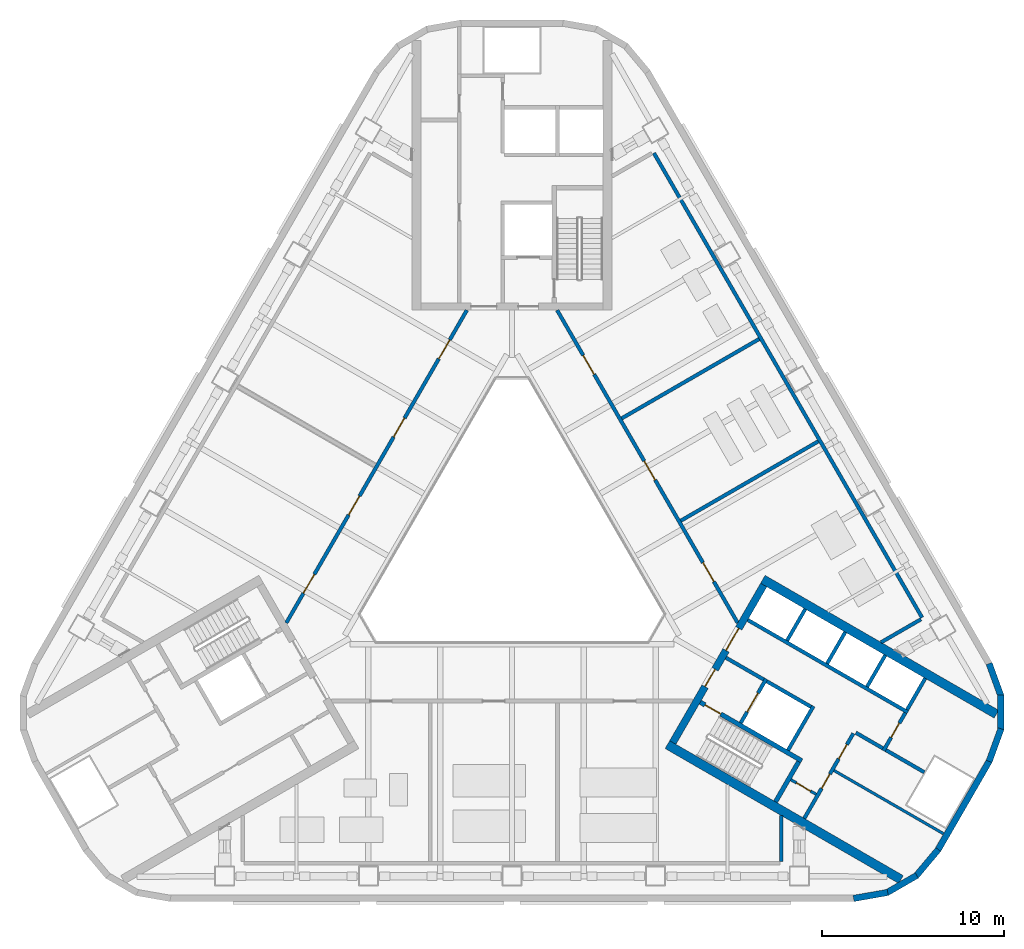
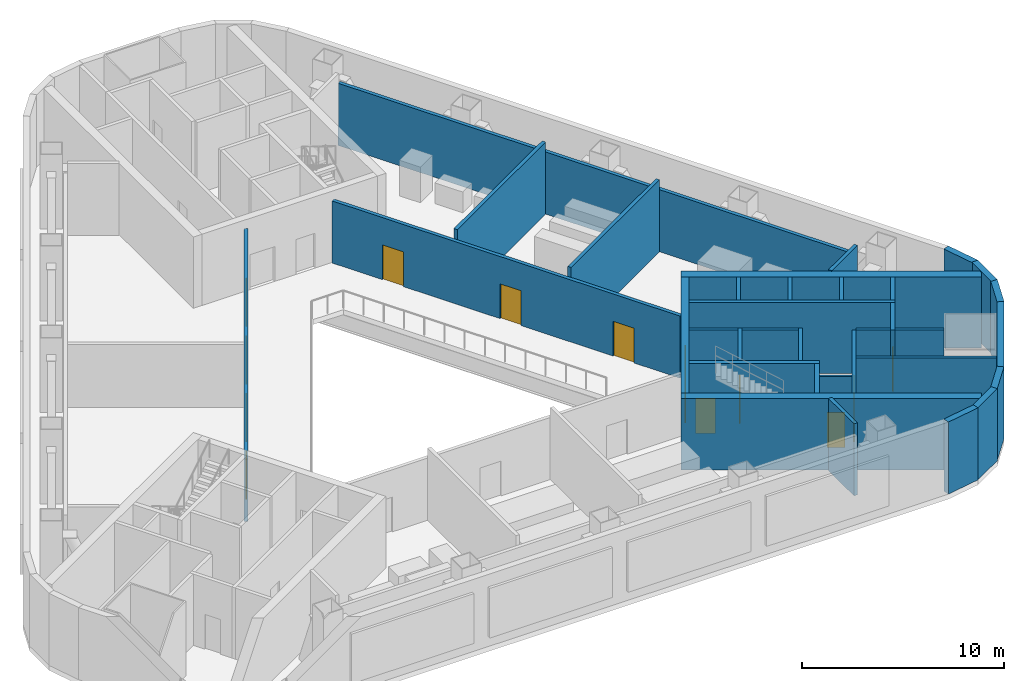
# One storey, part 7 of 14: 34 walls, 15 doors, 15 openings.
"""IFC4 building model written with IfcOpenShell, lengths in metres."""

import ifcopenshell
import ifcopenshell.guid

model = None  # the IFC model being written
_history = None  # IfcOwnerHistory: only IFC2X3 demands one
_inside = {}  # id of a spatial element -> (the spatial element, [elements in it])
_under = {}  # id of a project, library or spatial element -> (it, [spatial elements below it])
_declared = {}  # id of a project -> (the project, [libraries it declares])
_typed = {}  # id of a type object -> (the type object, [elements of that type])
_made_of = {}  # id of a material, layer set ... -> (it, [elements and type objects made of it])


def new_model(schema):
    """Start an empty IFC model of exactly this schema.

    Asked for "IFC4X3", IfcOpenShell would pick the latest addendum, in which some entities
    have other attributes; the version numbers below select the first issue.
    IFC2X3 requires an IfcOwnerHistory on every rooted entity: one is made here for all.
    """
    global model, _history
    if schema == "IFC4X3":
        model = ifcopenshell.file(schema_version=(4, 3, 0, 0))
    else:
        model = ifcopenshell.file(schema=schema)
    _inside.clear()
    _under.clear()
    _declared.clear()
    _typed.clear()
    _made_of.clear()
    _history = None
    if model.schema == "IFC2X3":
        org = make("IfcOrganization", Name="unknown")
        user = make(
            "IfcPersonAndOrganization",
            ThePerson=make("IfcPerson", FamilyName="unknown"),
            TheOrganization=org,
        )
        app = make(
            "IfcApplication",
            ApplicationDeveloper=org,
            Version="unknown",
            ApplicationFullName="unknown",
            ApplicationIdentifier="unknown",
        )
        _history = make(
            "IfcOwnerHistory",
            OwningUser=user,
            OwningApplication=app,
            ChangeAction="ADDED",
            CreationDate=0,
        )
    return model


def make(cls, **values):
    """One entity of the class cls with the attributes given. An attribute that is None is left unset."""
    return model.create_entity(
        cls, **{name: value for name, value in values.items() if value is not None}
    )


def rooted(cls, **values):
    """An entity with a GlobalId (a new one), such as an element, a storey or a relation."""
    return make(cls, GlobalId=ifcopenshell.guid.new(), OwnerHistory=_history, **values)


def si_unit(unit_type, name, prefix=None):
    """IfcSIUnit, for example si_unit("LENGTHUNIT", "METRE", prefix="MILLI")."""
    return make("IfcSIUnit", UnitType=unit_type, Prefix=prefix, Name=name)


def assignment(units):
    """IfcUnitAssignment: the units of a project."""
    return None if units is None else make("IfcUnitAssignment", Units=units)


def point(xyz):
    """IfcCartesianPoint."""
    return None if xyz is None else make("IfcCartesianPoint", Coordinates=xyz)


def direction(xyz):
    """IfcDirection."""
    return None if xyz is None else make("IfcDirection", DirectionRatios=xyz)


def frame(location, z_axis=None, x_axis=None):
    """IfcAxis2Placement3D, a coordinate frame: its origin and axes. An axis left out is left unset."""
    return make(
        "IfcAxis2Placement3D",
        Location=point(location),
        Axis=direction(z_axis),
        RefDirection=direction(x_axis),
    )


def frame_2d(location, x_axis=None):
    """IfcAxis2Placement2D, a coordinate frame in the plane: its origin and x axis."""
    return make(
        "IfcAxis2Placement2D", Location=point(location), RefDirection=direction(x_axis)
    )


def origin():
    """The frame at (0, 0, 0) with its axes left unset."""
    return frame((0.0, 0.0, 0.0))


def place(relative_to, where):
    """IfcLocalPlacement: puts the frame where relative to a parent placement (None: the world)."""
    return make(
        "IfcLocalPlacement", PlacementRelTo=relative_to, RelativePlacement=where
    )


def context(
    kind, dimensions, precision=None, world=None, true_north=None, identifier=None
):
    """IfcGeometricRepresentationContext, for example the 3D "Model" context."""
    return make(
        "IfcGeometricRepresentationContext",
        ContextIdentifier=identifier,
        ContextType=kind,
        CoordinateSpaceDimension=dimensions,
        Precision=precision,
        WorldCoordinateSystem=world,
        TrueNorth=true_north,
    )


def subcontext(parent, identifier, kind, view, scale=None):
    """IfcGeometricRepresentationSubContext, for example "Body" below "Model"."""
    return make(
        "IfcGeometricRepresentationSubContext",
        ContextIdentifier=identifier,
        ContextType=kind,
        ParentContext=parent,
        TargetScale=scale,
        TargetView=view,
    )


def project(units=None, contexts=None):
    """IfcProject with its units and contexts."""
    return rooted(
        "IfcProject",
        Name="project",
        RepresentationContexts=contexts,
        UnitsInContext=assignment(units),
    )


def spatial(cls, under=None, at=None, **own):
    """A site, building, storey or space (cls), placed at a placement, below another one or the project."""
    s = rooted(cls, ObjectPlacement=at, **own)
    if under is not None:
        _under.setdefault(under.id(), (under, []))[1].append(s)
    return s


def profile(cls, at=None, kind="AREA", **sizes):
    """A parametric profile (cls). Its sizes go by their IFC names, for example OverallWidth=200.0."""
    return make(cls, ProfileType=kind, Position=at, **sizes)


def rectangle(**sizes):
    """IfcRectangleProfileDef."""
    return profile("IfcRectangleProfileDef", **sizes)


def extrude(swept, where, along, depth):
    """IfcExtrudedAreaSolid: the profile swept, set in the frame where, extruded along a direction by depth."""
    return make(
        "IfcExtrudedAreaSolid",
        SweptArea=swept,
        Position=where,
        ExtrudedDirection=direction(along),
        Depth=depth,
    )


def shape(context_of_items, identifier, shape_type, items):
    """IfcShapeRepresentation: the items that make up one representation, for example the "Body"."""
    return make(
        "IfcShapeRepresentation",
        ContextOfItems=context_of_items,
        RepresentationIdentifier=identifier,
        RepresentationType=shape_type,
        Items=items,
    )


def material(Name=None, Category=None):
    """IfcMaterial."""
    return make("IfcMaterial", Name=Name, Category=Category)


def layer(
    of_material, thickness, ventilated=None, Name=None, Category=None, Priority=None
):
    """IfcMaterialLayer: one layer of a wall or slab, of a material (None: an air gap)."""
    return make(
        "IfcMaterialLayer",
        Material=of_material,
        LayerThickness=thickness,
        IsVentilated=ventilated,
        Name=Name,
        Category=Category,
        Priority=Priority,
    )


def layer_set(layers, Name=None):
    """IfcMaterialLayerSet."""
    return make("IfcMaterialLayerSet", MaterialLayers=layers, LayerSetName=Name)


def made_of(thing, what):
    """Note that an element or type object is made of a material, layer set ...; save() writes the relation."""
    if what is not None:
        _made_of.setdefault(what.id(), (what, []))[1].append(thing)
    return thing


def type_object(cls, material=None, **own):
    """A type object (cls), such as IfcWallType, which elements share."""
    return made_of(rooted(cls, **own), material)


def element(
    cls,
    number,
    at=None,
    inside=None,
    cuts=None,
    type_object=None,
    material=None,
    context=None,
    identifier="Body",
    shape_type=None,
    held_by="IfcProductDefinitionShape",
    body=None,
    shapes=None,
    **own,
):
    """One element of the class cls, such as IfcWall. Its Tag is "e" and its number.

    at: its placement. inside: the storey or other place that contains it. cuts: it is an
    opening in that element (IfcRelVoidsElement). A single representation is given by context,
    identifier, shape_type and body (its items); several are given by shapes. held_by: the class
    of the entity that holds the representations. save() writes the other relations.
    """
    e = rooted(cls, Tag="e%d" % number, ObjectPlacement=at, **own)
    if body is not None:
        shapes = [shape(context, identifier, shape_type, body)]
    if shapes is not None:
        e.Representation = make(held_by, Representations=shapes)
    if inside is not None:
        _inside.setdefault(inside.id(), (inside, []))[1].append(e)
    if cuts is not None:
        rooted(
            "IfcRelVoidsElement", RelatingBuildingElement=cuts, RelatedOpeningElement=e
        )
    if type_object is not None:
        _typed.setdefault(type_object.id(), (type_object, []))[1].append(e)
    return made_of(e, material)


def fill(opening, filler):
    """IfcRelFillsElement: the door or window that sits in an opening."""
    return rooted(
        "IfcRelFillsElement",
        RelatingOpeningElement=opening,
        RelatedBuildingElement=filler,
    )


def aggregate(whole, parts):
    """IfcRelAggregates: a whole, such as a stair, and the parts it consists of."""
    return rooted("IfcRelAggregates", RelatingObject=whole, RelatedObjects=parts)


def save(model, path):
    """Write the relations noted so far, then the file.

    IfcRelAggregates (storeys below a building ...), IfcRelContainedInSpatialStructure (elements
    in a storey), IfcRelDefinesByType, IfcRelAssociatesMaterial and IfcRelDeclares: one each for
    every whole, place, type object, material and project.
    """
    for whole, parts in _under.values():
        aggregate(whole, parts)
    for where, things in _inside.values():
        rooted(
            "IfcRelContainedInSpatialStructure",
            RelatedElements=things,
            RelatingStructure=where,
        )
    for kind, things in _typed.values():
        rooted("IfcRelDefinesByType", RelatedObjects=things, RelatingType=kind)
    for what, things in _made_of.values():
        rooted("IfcRelAssociatesMaterial", RelatedObjects=things, RelatingMaterial=what)
    for by, libraries in _declared.values():
        rooted("IfcRelDeclares", RelatingContext=by, RelatedDefinitions=libraries)
    model.write(path)


model = new_model("IFC4")

# Units and contexts
model_context = context("Model", 3, precision=1e-05, world=origin(), true_north=direction((0.0, 1.0)))
body_context = subcontext(model_context, "Body", "Model", "MODEL_VIEW")
ifc_project = project(units=[si_unit("LENGTHUNIT", "METRE"), si_unit("AREAUNIT", "SQUARE_METRE"), si_unit("VOLUMEUNIT", "CUBIC_METRE"), si_unit("PLANEANGLEUNIT", "RADIAN"), si_unit("MASSUNIT", "GRAM", prefix="KILO")], contexts=[model_context])

# Site, building, storey
site_placement = place(None, origin())
site = spatial("IfcSite", under=ifc_project, at=site_placement, CompositionType="ELEMENT")
building_placement = place(site_placement, origin())
building = spatial("IfcBuilding", under=site, at=building_placement, Name="Apuvela Tower Hotel", CompositionType="ELEMENT")
storey_placement = place(building_placement, frame((0.0, 0.0, 42.0)))
storey = spatial("IfcBuildingStorey", under=building, at=storey_placement, Name="L07 Plant", CompositionType="ELEMENT", Elevation=42.0)

# Wall, openings, doors
ifc_material_1 = material(Name="Concrete C50/60", Category="concrete")
ifc_layer_1 = layer(ifc_material_1, 0.39990234375)
ifc_layer_set_1 = layer_set([ifc_layer_1], Name="COR-WALL-CORE-400")
wall_type_1 = type_object("IfcWallType", Name="COR-WALL-CORE-400", PredefinedType="SHEAR", material=ifc_layer_set_1)
wall_1_placement = place(storey_placement, frame((8.844970703125, -10.880126953125, 0.0), z_axis=(0.0, 0.0, 1.0), x_axis=(0.500004234368, 0.866022959057, 0.0)))
wall_1 = element("IfcWall", 1, at=wall_1_placement, inside=storey, type_object=wall_type_1, Name="Core wall SE", PredefinedType="SHEAR", context=body_context, shape_type="SweptSolid", body=[
    extrude(rectangle(XDim=10.0, YDim=0.39990234375, at=frame_2d((5.0, 0.0))), origin(), (0.0, 0.0, 1.0), 4.300048828125),
])
opening_1_placement = place(wall_1_placement, frame((3.550048828125, 0.0, 0.0)))
opening_1 = element("IfcOpeningElement", 2, at=opening_1_placement, cuts=wall_1, Name="Opening E-FD", PredefinedType="OPENING", context=body_context, shape_type="SweptSolid", body=[
    extrude(rectangle(XDim=1.10009765625, YDim=2.10009765625, at=frame_2d((0.550048828125, 1.050048828125))), frame((0.0, 0.2099609375, 0.0), z_axis=(0.0, -1.0, 0.0), x_axis=(1.0, 0.0, 0.0)), (0.0, 0.0, 1.0), 0.419921875),
])
opening_2_placement = place(wall_1_placement, frame((5.85009765625, 0.0, 0.0)))
opening_2 = element("IfcOpeningElement", 3, at=opening_2_placement, cuts=wall_1, Name="Opening E-GD", PredefinedType="OPENING", context=body_context, shape_type="SweptSolid", body=[
    extrude(rectangle(XDim=1.39990234375, YDim=2.10009765625, at=frame_2d((0.699951171875, 1.050048828125))), frame((0.0, 0.2099609375, 0.0), z_axis=(0.0, -1.0, 0.0), x_axis=(1.0, 0.0, 0.0)), (0.0, 0.0, 1.0), 0.419921875),
])
ifc_material_2 = material(Name="Steel fire door, powder coated", Category="steel")
door_type_1 = type_object("IfcDoorType", Name="COR-FD-1100", OperationType="NOTDEFINED", PredefinedType="DOOR", material=ifc_material_2)
door_1_placement = place(opening_1_placement, frame((1.10009765625, 0.0, 0.0), z_axis=(0.0, 0.0, 1.0), x_axis=(-1.0, 0.0, 0.0)))
door_1 = element("IfcDoor", 4, at=door_1_placement, inside=storey, type_object=door_type_1, Name="Firefighting lobby door E-FD", OperationType="SINGLE_SWING_LEFT", OverallHeight=2.10009765625, OverallWidth=1.10009765625, PredefinedType="DOOR", context=body_context, shape_type="SweptSolid", body=[
    extrude(rectangle(XDim=1.10009765625, YDim=2.10009765625, at=frame_2d((0.550048828125, 1.050048828125))), frame((0.0, 0.02490234375, 0.0), z_axis=(0.0, -1.0, 0.0), x_axis=(1.0, 0.0, 0.0)), (0.0, 0.0, 1.0), 0.050048828125),
])
fill(opening_1, door_1)
ifc_material_3 = material(Name="Glazed steel fire door", Category="steel")
door_type_2 = type_object("IfcDoorType", Name="COR-GD-1400", OperationType="DOUBLE_DOOR_SINGLE_SWING", PredefinedType="DOOR", material=ifc_material_3)
door_2_placement = place(opening_2_placement, frame((1.39990234375, 0.0, 0.0), z_axis=(0.0, 0.0, 1.0), x_axis=(-1.0, 0.0, 0.0)))
door_2 = element("IfcDoor", 5, at=door_2_placement, inside=storey, type_object=door_type_2, Name="Lift lobby door E-GD", OperationType="DOUBLE_DOOR_SINGLE_SWING", OverallHeight=2.10009765625, OverallWidth=1.39990234375, PredefinedType="DOOR", context=body_context, shape_type="SweptSolid", body=[
    extrude(rectangle(XDim=1.39990234375, YDim=2.10009765625, at=frame_2d((0.699951171875, 1.050048828125))), frame((0.0, 0.02490234375, 0.0), z_axis=(0.0, -1.0, 0.0), x_axis=(1.0, 0.0, 0.0)), (0.0, 0.0, 1.0), 0.050048828125),
])
fill(opening_2, door_2)

# Walls
ifc_layer_2 = layer(ifc_material_1, 0.5)
ifc_layer_set_2 = layer_set([ifc_layer_2], Name="COR-WALL-CORE-500")
wall_type_2 = type_object("IfcWallType", Name="COR-WALL-CORE-500", PredefinedType="SHEAR", material=ifc_layer_set_2)
for number, where, z_axis, x_axis, name in (
    (6, (8.546630859375, -10.99658203125, 0.0), (0.0, 0.0, 1.0), (0.866025009528, -0.500000682871, 0.0), "Core wall SE"),
    (7, (13.796630859375, -1.9033203125, 0.0), (0.0, 0.0, 1.0), (0.866025009528, -0.500000682871, 0.0), "Core wall SE"),
):
    element("IfcWall", number, at=place(storey_placement, frame(where, z_axis=z_axis, x_axis=x_axis)), inside=storey, type_object=wall_type_2, Name=name, PredefinedType="SHEAR", context=body_context, shape_type="SweptSolid", body=[
        extrude(rectangle(XDim=14.8369140625, YDim=0.5, at=frame_2d((7.41845703125, 0.0))), origin(), (0.0, 0.0, 1.0), 4.300048828125),
    ])

# Wall, opening, door
ifc_material_4 = material(Name="Blockwork 150 mm plastered", Category="masonry")
ifc_layer_3 = layer(ifc_material_4, 0.14990234375)
ifc_layer_set_3 = layer_set([ifc_layer_3], Name="COR-WALL-PART-150")
wall_type_3 = type_object("IfcWallType", Name="COR-WALL-PART-150", PredefinedType="PARTITIONING", material=ifc_layer_set_3)
wall_2_placement = place(storey_placement, frame((15.341552734375, -12.927734375, 0.0), z_axis=(0.0, 0.0, 1.0), x_axis=(0.865989903783, -0.500061482766, 0.0)))
wall_2 = element("IfcWall", 8, at=wall_2_placement, inside=storey, type_object=wall_type_3, Name="Partition SE", PredefinedType="PARTITIONING", context=body_context, shape_type="SweptSolid", body=[
    extrude(rectangle(XDim=1.599853515625, YDim=0.14990234375, at=frame_2d((0.7998046875, 0.0))), origin(), (0.0, 0.0, 1.0), 4.300048828125),
])
opening_3_placement = place(wall_2_placement, frame((0.35009765625, 0.0, 0.0)))
opening_3 = element("IfcOpeningElement", 9, at=opening_3_placement, cuts=wall_2, Name="Opening E-RD", PredefinedType="OPENING", context=body_context, shape_type="SweptSolid", body=[
    extrude(rectangle(XDim=0.89990234375, YDim=2.10009765625, at=frame_2d((0.449951171875, 1.050048828125))), frame((0.0, 0.0849609375, 0.0), z_axis=(0.0, -1.0, 0.0), x_axis=(1.0, 0.0, 0.0)), (0.0, 0.0, 1.0), 0.169921875),
])
ifc_material_5 = material(Name="Steel access door, powder coated", Category="steel")
door_type_3 = type_object("IfcDoorType", Name="COR-RD-900", OperationType="NOTDEFINED", PredefinedType="DOOR", material=ifc_material_5)
door_3_placement = place(opening_3_placement, frame((0.89990234375, 0.0, 0.0), z_axis=(0.0, 0.0, 1.0), x_axis=(-1.0, 0.0, 0.0)))
door_3 = element("IfcDoor", 10, at=door_3_placement, inside=storey, type_object=door_type_3, Name="Riser door E-RD", OperationType="SINGLE_SWING_LEFT", OverallHeight=2.10009765625, OverallWidth=0.89990234375, PredefinedType="DOOR", context=body_context, shape_type="SweptSolid", body=[
    extrude(rectangle(XDim=0.89990234375, YDim=2.10009765625, at=frame_2d((0.449951171875, 1.050048828125))), frame((0.0, 0.02490234375, 0.0), z_axis=(0.0, -1.0, 0.0), x_axis=(1.0, 0.0, 0.0)), (0.0, 0.0, 1.0), 0.050048828125),
])
fill(opening_3, door_3)

# Wall
wall_3_placement = place(storey_placement, frame((17.712890625, -12.42041015625, 0.0), z_axis=(0.0, 0.0, 1.0), x_axis=(0.866016523273, -0.500015381182, 0.0)))
element("IfcWall", 11, at=wall_3_placement, inside=storey, type_object=wall_type_3, Name="Partition SE", PredefinedType="PARTITIONING", context=body_context, shape_type="SweptSolid", body=[
    extrude(rectangle(XDim=6.949951171875, YDim=0.14990234375, at=frame_2d((3.47509765625, 0.0))), origin(), (0.0, 0.0, 1.0), 4.300048828125),
])

# Wall, openings, doors
ifc_material_6 = material(Name="Blockwork 200 mm plastered", Category="masonry")
ifc_layer_4 = layer(ifc_material_6, 0.199951171875)
ifc_layer_set_4 = layer_set([ifc_layer_4], Name="COR-WALL-PART-200")
wall_type_4 = type_object("IfcWallType", Name="COR-WALL-PART-200", PredefinedType="PARTITIONING", material=ifc_layer_set_4)
wall_4_placement = place(storey_placement, frame((16.076171875, -15.05517578125, 0.0), z_axis=(0.0, 0.0, 1.0), x_axis=(0.499995103361, 0.866028230842, 0.0)))
wall_4 = element("IfcWall", 12, at=wall_4_placement, inside=storey, type_object=wall_type_4, Name="Partition SE", PredefinedType="PARTITIONING", context=body_context, shape_type="SweptSolid", body=[
    extrude(rectangle(XDim=5.39990234375, YDim=0.199951171875, at=frame_2d((2.699951171875, 0.0))), origin(), (0.0, 0.0, 1.0), 4.300048828125),
])
opening_4_placement = place(wall_4_placement, frame((1.91259765625, 0.0, 0.0)))
opening_4 = element("IfcOpeningElement", 13, at=opening_4_placement, cuts=wall_4, Name="Opening E-RS1", PredefinedType="OPENING", context=body_context, shape_type="SweptSolid", body=[
    extrude(rectangle(XDim=0.89990234375, YDim=2.10009765625, at=frame_2d((0.449951171875, 1.050048828125))), frame((0.0, 0.10986328125, 0.0), z_axis=(0.0, -1.0, 0.0), x_axis=(1.0, 0.0, 0.0)), (0.0, 0.0, 1.0), 0.219970703125),
])
opening_5_placement = place(wall_4_placement, frame((3.78759765625, 0.0, 0.0)))
opening_5 = element("IfcOpeningElement", 14, at=opening_5_placement, cuts=wall_4, Name="Opening E-RS2", PredefinedType="OPENING", context=body_context, shape_type="SweptSolid", body=[
    extrude(rectangle(XDim=0.89990234375, YDim=2.10009765625, at=frame_2d((0.449951171875, 1.050048828125))), frame((0.0, 0.10986328125, 0.0), z_axis=(0.0, -1.0, 0.0), x_axis=(1.0, 0.0, 0.0)), (0.0, 0.0, 1.0), 0.219970703125),
])
door_type_4 = type_object("IfcDoorType", Name="COR-DR-900", OperationType="NOTDEFINED", PredefinedType="DOOR", material=ifc_material_2)
door_4_placement = place(opening_4_placement, frame((0.89990234375, 0.0, 0.0), z_axis=(0.0, 0.0, 1.0), x_axis=(-1.0, 0.0, 0.0)))
door_4 = element("IfcDoor", 15, at=door_4_placement, inside=storey, type_object=door_type_4, Name="Store door E-RS1", OperationType="SINGLE_SWING_LEFT", OverallHeight=2.10009765625, OverallWidth=0.89990234375, PredefinedType="DOOR", context=body_context, shape_type="SweptSolid", body=[
    extrude(rectangle(XDim=0.89990234375, YDim=2.10009765625, at=frame_2d((0.449951171875, 1.050048828125))), frame((0.0, 0.02490234375, 0.0), z_axis=(0.0, -1.0, 0.0), x_axis=(1.0, 0.0, 0.0)), (0.0, 0.0, 1.0), 0.050048828125),
])
fill(opening_4, door_4)
door_5_placement = place(opening_5_placement, frame((0.89990234375, 0.0, 0.0), z_axis=(0.0, 0.0, 1.0), x_axis=(-1.0, 0.0, 0.0)))
door_5 = element("IfcDoor", 16, at=door_5_placement, inside=storey, type_object=door_type_4, Name="Store door E-RS2", OperationType="SINGLE_SWING_LEFT", OverallHeight=2.10009765625, OverallWidth=0.89990234375, PredefinedType="DOOR", context=body_context, shape_type="SweptSolid", body=[
    extrude(rectangle(XDim=0.89990234375, YDim=2.10009765625, at=frame_2d((0.449951171875, 1.050048828125))), frame((0.0, 0.02490234375, 0.0), z_axis=(0.0, -1.0, 0.0), x_axis=(1.0, 0.0, 0.0)), (0.0, 0.0, 1.0), 0.050048828125),
])
fill(opening_5, door_5)

# Wall
ifc_layer_5 = layer(ifc_material_1, 0.199951171875)
ifc_layer_set_5 = layer_set([ifc_layer_5], Name="COR-WALL-SHAFT-200")
wall_type_5 = type_object("IfcWallType", Name="COR-WALL-SHAFT-200", PredefinedType="SHEAR", material=ifc_layer_set_5)
wall_5_placement = place(storey_placement, frame((15.181396484375, -11.305419921875, 0.0), z_axis=(0.0, 0.0, 1.0), x_axis=(0.49994636267, 0.866056369097, 0.0)))
element("IfcWall", 17, at=wall_5_placement, inside=storey, type_object=wall_type_5, Name="Shaft wall SE", PredefinedType="SHEAR", context=body_context, shape_type="SweptSolid", body=[
    extrude(rectangle(XDim=2.800048828125, YDim=0.199951171875, at=frame_2d((1.39990234375, 0.0))), origin(), (0.0, 0.0, 1.0), 4.300048828125),
])

# Wall, opening, door
wall_6_placement = place(storey_placement, frame((12.583251953125, -9.805419921875, 0.0), z_axis=(0.0, 0.0, 1.0), x_axis=(0.49994636267, 0.866056369097, 0.0)))
wall_6 = element("IfcWall", 18, at=wall_6_placement, inside=storey, type_object=wall_type_5, Name="Shaft wall SE", PredefinedType="SHEAR", context=body_context, shape_type="SweptSolid", body=[
    extrude(rectangle(XDim=2.800048828125, YDim=0.199951171875, at=frame_2d((1.39990234375, 0.0))), origin(), (0.0, 0.0, 1.0), 4.300048828125),
])
opening_6_placement = place(wall_6_placement, frame((0.699951171875, 0.0, 0.0)))
opening_6 = element("IfcOpeningElement", 19, at=opening_6_placement, cuts=wall_6, Name="Opening E-LD-FS3", PredefinedType="OPENING", context=body_context, shape_type="SweptSolid", body=[
    extrude(rectangle(XDim=1.199951171875, YDim=2.10009765625, at=frame_2d((0.60009765625, 1.050048828125))), frame((0.0, 0.10986328125, 0.0), z_axis=(0.0, -1.0, 0.0), x_axis=(1.0, 0.0, 0.0)), (0.0, 0.0, 1.0), 0.219970703125),
])
ifc_material_7 = material(Name="Stainless steel lift landing door", Category="steel")
door_type_5 = type_object("IfcDoorType", Name="COR-LD-1200", OperationType="DOUBLE_DOOR_SLIDING", PredefinedType="DOOR", material=ifc_material_7)
door_6_placement = place(opening_6_placement, origin())
door_6 = element("IfcDoor", 20, at=door_6_placement, inside=storey, type_object=door_type_5, Name="Lift landing door E-LD-FS3", OperationType="DOUBLE_DOOR_SLIDING", OverallHeight=2.10009765625, OverallWidth=1.199951171875, PredefinedType="DOOR", context=body_context, shape_type="SweptSolid", body=[
    extrude(rectangle(XDim=1.199951171875, YDim=2.10009765625, at=frame_2d((0.60009765625, 1.050048828125))), frame((0.0, 0.02490234375, 0.0), z_axis=(0.0, -1.0, 0.0), x_axis=(1.0, 0.0, 0.0)), (0.0, 0.0, 1.0), 0.050048828125),
])
fill(opening_6, door_6)

# Walls
wall_7_placement = place(storey_placement, frame((11.76806640625, -6.217041015625, 0.0), z_axis=(0.0, 0.0, 1.0), x_axis=(0.866050077142, -0.499957262057, 0.0)))
element("IfcWall", 21, at=wall_7_placement, inside=storey, type_object=wall_type_5, Name="Shaft wall SE", PredefinedType="SHEAR", context=body_context, shape_type="SweptSolid", body=[
    extrude(rectangle(XDim=2.400146484375, YDim=0.199951171875, at=frame_2d((1.2001953125, 0.0))), origin(), (0.0, 0.0, 1.0), 4.300048828125),
])
wall_8_placement = place(storey_placement, frame((14.019775390625, -7.51708984375, 0.0), z_axis=(0.0, 0.0, 1.0), x_axis=(0.866034573852, -0.49998411664, 0.0)))
element("IfcWall", 22, at=wall_8_placement, inside=storey, type_object=wall_type_5, Name="Shaft wall SE", PredefinedType="SHEAR", context=body_context, shape_type="SweptSolid", body=[
    extrude(rectangle(XDim=2.7998046875, YDim=0.199951171875, at=frame_2d((1.39990234375, 0.0))), origin(), (0.0, 0.0, 1.0), 4.300048828125),
])
wall_9_placement = place(storey_placement, frame((12.968017578125, -4.138427734375, 0.0), z_axis=(0.0, 0.0, 1.0), x_axis=(0.866028328073, -0.49999493495, 0.0)))
element("IfcWall", 23, at=wall_9_placement, inside=storey, type_object=wall_type_5, Name="Shaft wall SE", PredefinedType="SHEAR", context=body_context, shape_type="SweptSolid", body=[
    extrude(rectangle(XDim=10.16015625, YDim=0.199951171875, at=frame_2d((5.080078125, 0.0))), origin(), (0.0, 0.0, 1.0), 4.300048828125),
])

# Wall, opening, door
wall_10_placement = place(storey_placement, frame((20.430419921875, -11.33349609375, 0.0), z_axis=(0.0, 0.0, 1.0), x_axis=(0.500001309137, 0.866024647952, 0.0)))
wall_10 = element("IfcWall", 24, at=wall_10_placement, inside=storey, type_object=wall_type_5, Name="Shaft wall SE", PredefinedType="SHEAR", context=body_context, shape_type="SweptSolid", body=[
    extrude(rectangle(XDim=2.39990234375, YDim=0.199951171875, at=frame_2d((1.199951171875, 0.0))), origin(), (0.0, 0.0, 1.0), 4.300048828125),
])
opening_7_placement = place(wall_10_placement, frame((0.85009765625, 0.0, 0.0)))
opening_7 = element("IfcOpeningElement", 25, at=opening_7_placement, cuts=wall_10, Name="Opening E-REP", PredefinedType="OPENING", context=body_context, shape_type="SweptSolid", body=[
    extrude(rectangle(XDim=0.89990234375, YDim=2.10009765625, at=frame_2d((0.449951171875, 1.050048828125))), frame((0.0, 0.10986328125, 0.0), z_axis=(0.0, -1.0, 0.0), x_axis=(1.0, 0.0, 0.0)), (0.0, 0.0, 1.0), 0.219970703125),
])
door_7_placement = place(opening_7_placement, frame((0.89990234375, 0.0, 0.0), z_axis=(0.0, 0.0, 1.0), x_axis=(-1.0, 0.0, 0.0)))
door_7 = element("IfcDoor", 26, at=door_7_placement, inside=storey, type_object=door_type_4, Name="Store door E-REP", OperationType="SINGLE_SWING_RIGHT", OverallHeight=2.10009765625, OverallWidth=0.89990234375, PredefinedType="DOOR", context=body_context, shape_type="SweptSolid", body=[
    extrude(rectangle(XDim=0.89990234375, YDim=2.10009765625, at=frame_2d((0.449951171875, 1.050048828125))), frame((0.0, 0.02490234375, 0.0), z_axis=(0.0, -1.0, 0.0), x_axis=(1.0, 0.0, 0.0)), (0.0, 0.0, 1.0), 0.050048828125),
])
fill(opening_7, door_7)

# Walls
wall_11_placement = place(storey_placement, frame((18.912841796875, -10.342041015625, 0.0), z_axis=(0.0, 0.0, 1.0), x_axis=(0.866038183914, -0.499977863513, 0.0)))
element("IfcWall", 27, at=wall_11_placement, inside=storey, type_object=wall_type_5, Name="Shaft wall SE", PredefinedType="SHEAR", context=body_context, shape_type="SweptSolid", body=[
    extrude(rectangle(XDim=1.7099609375, YDim=0.199951171875, at=frame_2d((0.85498046875, 0.0))), origin(), (0.0, 0.0, 1.0), 4.300048828125),
])
for number, where, z_axis, x_axis, name in (
    (28, (15.131103515625, -5.27197265625, 0.0), (0.0, 0.0, 1.0), (0.499972520799, 0.866041268327, 0.0), "Shaft wall SE"),
    (29, (17.330810546875, -6.5419921875, 0.0), (0.0, 0.0, 1.0), (0.499972520799, 0.866041268327, 0.0), "Shaft wall SE"),
    (30, (19.530517578125, -7.81201171875, 0.0), (0.0, 0.0, 1.0), (0.499972520799, 0.866041268327, 0.0), "Shaft wall SE"),
    (31, (21.73046875, -9.081787109375, 0.0), (0.0, 0.0, 1.0), (0.50002537861, 0.866010750942, 0.0), "Shaft wall SE"),
):
    element("IfcWall", number, at=place(storey_placement, frame(where, z_axis=z_axis, x_axis=x_axis)), inside=storey, type_object=wall_type_5, Name=name, PredefinedType="SHEAR", context=body_context, shape_type="SweptSolid", body=[
        extrude(rectangle(XDim=2.0, YDim=0.199951171875, at=frame_2d((1.0, 0.0))), origin(), (0.0, 0.0, 1.0), 4.300048828125),
    ])
wall_12_placement = place(storey_placement, frame((20.56689453125, -11.297119140625, 0.0), z_axis=(0.0, 0.0, 1.0), x_axis=(0.866048967903, -0.499959183527, 0.0)))
element("IfcWall", 32, at=wall_12_placement, inside=storey, type_object=wall_type_5, Name="Shaft wall SE", PredefinedType="SHEAR", context=body_context, shape_type="SweptSolid", body=[
    extrude(rectangle(XDim=2.440185546875, YDim=0.199951171875, at=frame_2d((1.22021484375, 0.0))), origin(), (0.0, 0.0, 1.0), 4.300048828125),
])

# Wall, opening, door
ifc_layer_6 = layer(ifc_material_1, 0.25)
ifc_layer_set_6 = layer_set([ifc_layer_6], Name="COR-WALL-STAIR-250")
wall_type_6 = type_object("IfcWallType", Name="COR-WALL-STAIR-250", PredefinedType="SHEAR", material=ifc_layer_set_6)
wall_13_placement = place(storey_placement, frame((10.355712890625, -8.66357421875, 0.0), z_axis=(0.0, 0.0, 1.0), x_axis=(0.866028629588, -0.499994412703, 0.0)))
wall_13 = element("IfcWall", 33, at=wall_13_placement, inside=storey, type_object=wall_type_6, Name="Stair wall SE", PredefinedType="SHEAR", context=body_context, shape_type="SweptSolid", body=[
    extrude(rectangle(XDim=6.44970703125, YDim=0.25, at=frame_2d((3.224853515625, 0.0))), origin(), (0.0, 0.0, 1.0), 4.300048828125),
])
opening_8_placement = place(wall_13_placement, frame((0.300048828125, 0.0, 0.0)))
opening_8 = element("IfcOpeningElement", 34, at=opening_8_placement, cuts=wall_13, Name="Opening E-SD", PredefinedType="OPENING", context=body_context, shape_type="SweptSolid", body=[
    extrude(rectangle(XDim=1.0, YDim=2.10009765625, at=frame_2d((0.5, 1.050048828125))), frame((0.0, 0.135009765625, 0.0), z_axis=(0.0, -1.0, 0.0), x_axis=(1.0, 0.0, 0.0)), (0.0, 0.0, 1.0), 0.27001953125),
])
door_type_6 = type_object("IfcDoorType", Name="COR-SD-1000", OperationType="NOTDEFINED", PredefinedType="DOOR", material=ifc_material_2)
door_8_placement = place(opening_8_placement, frame((1.0, 0.0, 0.0), z_axis=(0.0, 0.0, 1.0), x_axis=(-1.0, 0.0, 0.0)))
door_8 = element("IfcDoor", 35, at=door_8_placement, inside=storey, type_object=door_type_6, Name="Stair door E-SD", OperationType="SINGLE_SWING_LEFT", OverallHeight=2.10009765625, OverallWidth=1.0, PredefinedType="DOOR", context=body_context, shape_type="SweptSolid", body=[
    extrude(rectangle(XDim=1.0, YDim=2.10009765625, at=frame_2d((0.5, 1.050048828125))), frame((0.0, 0.02490234375, 0.0), z_axis=(0.0, -1.0, 0.0), x_axis=(1.0, 0.0, 0.0)), (0.0, 0.0, 1.0), 0.050048828125),
])
fill(opening_8, door_8)

# Walls
wall_14_placement = place(storey_placement, frame((14.49560546875, -14.142578125, 0.0), z_axis=(0.0, 0.0, 1.0), x_axis=(0.500062241894, 0.865989465428, 0.0)))
element("IfcWall", 36, at=wall_14_placement, inside=storey, type_object=wall_type_6, Name="Stair wall SE", PredefinedType="SHEAR", context=body_context, shape_type="SweptSolid", body=[
    extrude(rectangle(XDim=2.550048828125, YDim=0.25, at=frame_2d((1.27490234375, 0.0))), origin(), (0.0, 0.0, 1.0), 4.300048828125),
])
ifc_material_8 = material(Name="Concrete C40/50, dark pigmented precast panel", Category="concrete")
ifc_layer_7 = layer(ifc_material_8, 0.35009765625)
ifc_layer_set_7 = layer_set([ifc_layer_7], Name="ENV-WALL-350")
wall_type_7 = type_object("IfcWallType", Name="ENV-WALL-350", PredefinedType="SOLIDWALL", material=ifc_layer_set_7)
wall_15_placement = place(storey_placement, frame((18.785400390625, -19.457763671875, 0.0), z_axis=(0.0, 0.0, 1.0), x_axis=(0.984798995425, 0.173697837091, 0.0)))
element("IfcWall", 37, at=wall_15_placement, inside=storey, type_object=wall_type_7, Name="External wall L07 Plant-16", PredefinedType="SOLIDWALL", context=body_context, shape_type="SweptSolid", body=[
    extrude(rectangle(XDim=1.91015625, YDim=0.35009765625, at=frame_2d((0.955078125, 0.0))), origin(), (0.0, 0.0, 1.0), 4.35009765625),
])
for number, where, z_axis, x_axis, name in (
    (38, (20.609619140625, -19.146728515625, 0.0), (0.0, 0.0, 1.0), (0.866000389056, 0.500043324278, 0.0), "External wall L07 Plant-17"),
    (39, (22.217041015625, -18.230712890625, 0.0), (0.0, 0.0, 1.0), (0.642808304945, 0.766027077259, 0.0), "External wall L07 Plant-18"),
):
    element("IfcWall", number, at=place(storey_placement, frame(where, z_axis=z_axis, x_axis=x_axis)), inside=storey, type_object=wall_type_7, Name=name, PredefinedType="SOLIDWALL", context=body_context, shape_type="SweptSolid", body=[
        extrude(rectangle(XDim=1.909912109375, YDim=0.35009765625, at=frame_2d((0.955078125, 0.0))), origin(), (0.0, 0.0, 1.0), 4.35009765625),
    ])
wall_16_placement = place(storey_placement, frame((23.427490234375, -16.79248046875, 0.0), z_axis=(0.0, 0.0, 1.0), x_axis=(0.499986410639, 0.866033249463, 0.0)))
element("IfcWall", 40, at=wall_16_placement, inside=storey, type_object=wall_type_7, Name="External wall L07 Plant-19", PredefinedType="SOLIDWALL", context=body_context, shape_type="SweptSolid", body=[
    extrude(rectangle(XDim=5.657958984375, YDim=0.35009765625, at=frame_2d((2.8291015625, 0.0))), origin(), (0.0, 0.0, 1.0), 4.35009765625),
])
for number, where, z_axis, x_axis, name in (
    (41, (26.24365234375, -11.920166015625, 0.0), (0.0, 0.0, 1.0), (0.342030395486, 0.939688889242, 0.0), "External wall L07 Plant-20"),
    (42, (26.88623046875, -10.18505859375, 0.0), (0.0, 0.0, 1.0), (0.0, 1.0, 0.0), "External wall L07 Plant-21"),
    (43, (26.89697265625, -8.334716796875, 0.0), (0.0, 0.0, 1.0), (-0.342030395486, 0.939688889242, 0.0), "External wall L07 Plant-22"),
):
    element("IfcWall", number, at=place(storey_placement, frame(where, z_axis=z_axis, x_axis=x_axis)), inside=storey, type_object=wall_type_7, Name=name, PredefinedType="SOLIDWALL", context=body_context, shape_type="SweptSolid", body=[
        extrude(rectangle(XDim=1.91015625, YDim=0.35009765625, at=frame_2d((0.955078125, 0.0))), origin(), (0.0, 0.0, 1.0), 4.35009765625),
    ])
ifc_material_9 = material(Name="Reinforced blockwork B15", Category="masonry")
ifc_layer_8 = layer(ifc_material_9, 0.199951171875)
ifc_layer_set_8 = layer_set([ifc_layer_8], Name="SPC-WALL-PLANT")
wall_type_8 = type_object("IfcWallType", Name="SPC-WALL-PLANT", PredefinedType="PARTITIONING", material=ifc_layer_set_8)
for number, where, z_axis, x_axis, name in (
    (44, (14.800048828125, -17.429931640625, 0.0), (0.0, 0.0, 1.0), (0.0, 1.0, 0.0), "Wall L07-S-P06"),
    (45, (22.494873046875, -4.102294921875, 0.0), (0.0, 0.0, 1.0), (-0.866065287345, -0.499930913282, 0.0), "Wall L07-NE-P03"),
):
    element("IfcWall", number, at=place(storey_placement, frame(where, z_axis=z_axis, x_axis=x_axis)), inside=storey, type_object=wall_type_8, Name=name, PredefinedType="PARTITIONING", context=body_context, shape_type="SweptSolid", body=[
        extrude(rectangle(XDim=2.534423828125, YDim=0.199951171875, at=frame_2d((1.26708984375, 0.0))), origin(), (0.0, 0.0, 1.0), 4.35009765625),
    ])
for number, where, z_axis, x_axis, name in (
    (46, (16.8447265625, 5.683837890625, 0.0), (0.0, 0.0, 1.0), (-0.866023051915, -0.500004073536, 0.0), "Wall L07-NE-P04"),
    (47, (13.5947265625, 11.31298828125, 0.0), (0.0, 0.0, 1.0), (-0.866023051915, -0.500004073536, 0.0), "Wall L07-NE-P05"),
):
    element("IfcWall", number, at=place(storey_placement, frame(where, z_axis=z_axis, x_axis=x_axis)), inside=storey, type_object=wall_type_8, Name=name, PredefinedType="PARTITIONING", context=body_context, shape_type="SweptSolid", body=[
        extrude(rectangle(XDim=8.72998046875, YDim=0.199951171875, at=frame_2d((4.364990234375, 0.0))), origin(), (0.0, 0.0, 1.0), 4.35009765625),
    ])
wall_17_placement = place(storey_placement, frame((22.556396484375, -4.0087890625, 0.0), z_axis=(0.0, 0.0, 1.0), x_axis=(-0.500002084189, 0.866024200474, 0.0)))
element("IfcWall", 48, at=wall_17_placement, inside=storey, type_object=wall_type_8, Name="Wall L07-NE-FUR1", PredefinedType="PARTITIONING", context=body_context, shape_type="SweptSolid", body=[
    extrude(rectangle(XDim=29.499755859375, YDim=0.199951171875, at=frame_2d((14.75, 0.0))), origin(), (0.0, 0.0, 1.0), 3.75),
])

# Wall, openings, doors
wall_18_placement = place(storey_placement, frame((12.4130859375, -4.300048828125, 0.0), z_axis=(0.0, 0.0, 1.0), x_axis=(-0.50000478328, 0.866022642139, 0.0)))
wall_18 = element("IfcWall", 49, at=wall_18_placement, inside=storey, type_object=wall_type_8, Name="Wall L07-NE-CW", PredefinedType="PARTITIONING", context=body_context, shape_type="SweptSolid", body=[
    extrude(rectangle(XDim=19.861083984375, YDim=0.199951171875, at=frame_2d((9.9306640625, 0.0))), origin(), (0.0, 0.0, 1.0), 3.75),
])
opening_9_placement = place(wall_18_placement, frame((2.62109375, 0.0, 0.0)))
opening_9 = element("IfcOpeningElement", 50, at=opening_9_placement, cuts=wall_18, Name="Opening L07-S01", PredefinedType="OPENING", context=body_context, shape_type="SweptSolid", body=[
    extrude(rectangle(XDim=1.199951171875, YDim=2.10009765625, at=frame_2d((0.60009765625, 1.050048828125))), frame((0.0, 0.10986328125, 0.0), z_axis=(0.0, -1.0, 0.0), x_axis=(1.0, 0.0, 0.0)), (0.0, 0.0, 1.0), 0.219970703125),
])
opening_10_placement = place(wall_18_placement, frame((9.08056640625, 0.0, 0.0)))
opening_10 = element("IfcOpeningElement", 51, at=opening_10_placement, cuts=wall_18, Name="Opening L07-S02", PredefinedType="OPENING", context=body_context, shape_type="SweptSolid", body=[
    extrude(rectangle(XDim=1.199951171875, YDim=2.10009765625, at=frame_2d((0.60009765625, 1.050048828125))), frame((0.0, 0.10986328125, 0.0), z_axis=(0.0, -1.0, 0.0), x_axis=(1.0, 0.0, 0.0)), (0.0, 0.0, 1.0), 0.219970703125),
])
opening_11_placement = place(wall_18_placement, frame((15.7900390625, 0.0, 0.0)))
opening_11 = element("IfcOpeningElement", 52, at=opening_11_placement, cuts=wall_18, Name="Opening L07-S03", PredefinedType="OPENING", context=body_context, shape_type="SweptSolid", body=[
    extrude(rectangle(XDim=1.199951171875, YDim=2.10009765625, at=frame_2d((0.60009765625, 1.050048828125))), frame((0.0, 0.10986328125, 0.0), z_axis=(0.0, -1.0, 0.0), x_axis=(1.0, 0.0, 0.0)), (0.0, 0.0, 1.0), 0.219970703125),
])
ifc_material_10 = material(Name="Steel fire door leaf", Category="steel")
door_type_7 = type_object("IfcDoorType", Name="SPC-DOOR-1200-PLANT", OperationType="NOTDEFINED", PredefinedType="DOOR", material=ifc_material_10)
door_9_placement = place(opening_9_placement, frame((1.199951171875, 0.0, 0.0), z_axis=(0.0, 0.0, 1.0), x_axis=(-1.0, 0.0, 0.0)))
door_9 = element("IfcDoor", 53, at=door_9_placement, inside=storey, type_object=door_type_7, Name="L07-S01", OperationType="SINGLE_SWING_RIGHT", OverallHeight=2.10009765625, OverallWidth=1.199951171875, PredefinedType="DOOR", context=body_context, shape_type="SweptSolid", body=[
    extrude(rectangle(XDim=1.199951171875, YDim=2.10009765625, at=frame_2d((0.60009765625, 1.050048828125))), frame((0.0, 0.02490234375, 0.0), z_axis=(0.0, -1.0, 0.0), x_axis=(1.0, 0.0, 0.0)), (0.0, 0.0, 1.0), 0.050048828125),
])
fill(opening_9, door_9)
door_10_placement = place(opening_10_placement, frame((1.199951171875, 0.0, 0.0), z_axis=(0.0, 0.0, 1.0), x_axis=(-1.0, 0.0, 0.0)))
door_10 = element("IfcDoor", 54, at=door_10_placement, inside=storey, type_object=door_type_7, Name="L07-S02", OperationType="SINGLE_SWING_LEFT", OverallHeight=2.10009765625, OverallWidth=1.199951171875, PredefinedType="DOOR", context=body_context, shape_type="SweptSolid", body=[
    extrude(rectangle(XDim=1.199951171875, YDim=2.10009765625, at=frame_2d((0.60009765625, 1.050048828125))), frame((0.0, 0.02490234375, 0.0), z_axis=(0.0, -1.0, 0.0), x_axis=(1.0, 0.0, 0.0)), (0.0, 0.0, 1.0), 0.050048828125),
])
fill(opening_10, door_10)
door_11_placement = place(opening_11_placement, frame((1.199951171875, 0.0, 0.0), z_axis=(0.0, 0.0, 1.0), x_axis=(-1.0, 0.0, 0.0)))
door_11 = element("IfcDoor", 55, at=door_11_placement, inside=storey, type_object=door_type_7, Name="L07-S03", OperationType="SINGLE_SWING_RIGHT", OverallHeight=2.10009765625, OverallWidth=1.199951171875, PredefinedType="DOOR", context=body_context, shape_type="SweptSolid", body=[
    extrude(rectangle(XDim=1.199951171875, YDim=2.10009765625, at=frame_2d((0.60009765625, 1.050048828125))), frame((0.0, 0.02490234375, 0.0), z_axis=(0.0, -1.0, 0.0), x_axis=(1.0, 0.0, 0.0)), (0.0, 0.0, 1.0), 0.050048828125),
])
fill(opening_11, door_11)

wall_19_placement = place(storey_placement, frame((-2.482421875, 12.900146484375, 0.0), z_axis=(0.0, 0.0, 1.0), x_axis=(-0.50000478328, -0.866022642139, 0.0)))
wall_19 = element("IfcWall", 56, at=wall_19_placement, inside=storey, type_object=wall_type_8, Name="Wall L07-NW-CW", PredefinedType="PARTITIONING", context=body_context, shape_type="SweptSolid", body=[
    extrude(rectangle(XDim=19.861083984375, YDim=0.199951171875, at=frame_2d((9.9306640625, 0.0))), origin(), (0.0, 0.0, 1.0), 3.75),
])
opening_12_placement = place(wall_19_placement, frame((1.885498046875, 0.0, 0.0)))
opening_12 = element("IfcOpeningElement", 57, at=opening_12_placement, cuts=wall_19, Name="Opening L07-S07", PredefinedType="OPENING", context=body_context, shape_type="SweptSolid", body=[
    extrude(rectangle(XDim=1.199951171875, YDim=2.10009765625, at=frame_2d((0.60009765625, 1.050048828125))), frame((0.0, 0.10986328125, 0.0), z_axis=(0.0, -1.0, 0.0), x_axis=(1.0, 0.0, 0.0)), (0.0, 0.0, 1.0), 0.219970703125),
])
opening_13_placement = place(wall_19_placement, frame((6.856689453125, 0.0, 0.0)))
opening_13 = element("IfcOpeningElement", 58, at=opening_13_placement, cuts=wall_19, Name="Opening L07-S08", PredefinedType="OPENING", context=body_context, shape_type="SweptSolid", body=[
    extrude(rectangle(XDim=1.199951171875, YDim=2.10009765625, at=frame_2d((0.60009765625, 1.050048828125))), frame((0.0, 0.10986328125, 0.0), z_axis=(0.0, -1.0, 0.0), x_axis=(1.0, 0.0, 0.0)), (0.0, 0.0, 1.0), 0.219970703125),
])
opening_14_placement = place(wall_19_placement, frame((11.804443359375, 0.0, 0.0)))
opening_14 = element("IfcOpeningElement", 59, at=opening_14_placement, cuts=wall_19, Name="Opening L07-S09", PredefinedType="OPENING", context=body_context, shape_type="SweptSolid", body=[
    extrude(rectangle(XDim=1.199951171875, YDim=2.10009765625, at=frame_2d((0.60009765625, 1.050048828125))), frame((0.0, 0.10986328125, 0.0), z_axis=(0.0, -1.0, 0.0), x_axis=(1.0, 0.0, 0.0)), (0.0, 0.0, 1.0), 0.219970703125),
])
opening_15_placement = place(wall_19_placement, frame((16.775634765625, 0.0, 0.0)))
opening_15 = element("IfcOpeningElement", 60, at=opening_15_placement, cuts=wall_19, Name="Opening L07-S10", PredefinedType="OPENING", context=body_context, shape_type="SweptSolid", body=[
    extrude(rectangle(XDim=1.199951171875, YDim=2.10009765625, at=frame_2d((0.60009765625, 1.050048828125))), frame((0.0, 0.10986328125, 0.0), z_axis=(0.0, -1.0, 0.0), x_axis=(1.0, 0.0, 0.0)), (0.0, 0.0, 1.0), 0.219970703125),
])
door_type_8 = type_object("IfcDoorType", Name="SPC-DOOR-1200-REFUGE", OperationType="NOTDEFINED", PredefinedType="DOOR", material=ifc_material_10)
door_12_placement = place(opening_12_placement, origin())
door_12 = element("IfcDoor", 61, at=door_12_placement, inside=storey, type_object=door_type_8, Name="L07-S07", OperationType="SINGLE_SWING_LEFT", OverallHeight=2.10009765625, OverallWidth=1.199951171875, PredefinedType="DOOR", context=body_context, shape_type="SweptSolid", body=[
    extrude(rectangle(XDim=1.199951171875, YDim=2.10009765625, at=frame_2d((0.60009765625, 1.050048828125))), frame((0.0, 0.02490234375, 0.0), z_axis=(0.0, -1.0, 0.0), x_axis=(1.0, 0.0, 0.0)), (0.0, 0.0, 1.0), 0.050048828125),
])
fill(opening_12, door_12)
door_13_placement = place(opening_13_placement, origin())
door_13 = element("IfcDoor", 62, at=door_13_placement, inside=storey, type_object=door_type_8, Name="L07-S08", OperationType="SINGLE_SWING_RIGHT", OverallHeight=2.10009765625, OverallWidth=1.199951171875, PredefinedType="DOOR", context=body_context, shape_type="SweptSolid", body=[
    extrude(rectangle(XDim=1.199951171875, YDim=2.10009765625, at=frame_2d((0.60009765625, 1.050048828125))), frame((0.0, 0.02490234375, 0.0), z_axis=(0.0, -1.0, 0.0), x_axis=(1.0, 0.0, 0.0)), (0.0, 0.0, 1.0), 0.050048828125),
])
fill(opening_13, door_13)
door_14_placement = place(opening_14_placement, origin())
door_14 = element("IfcDoor", 63, at=door_14_placement, inside=storey, type_object=door_type_8, Name="L07-S09", OperationType="SINGLE_SWING_LEFT", OverallHeight=2.10009765625, OverallWidth=1.199951171875, PredefinedType="DOOR", context=body_context, shape_type="SweptSolid", body=[
    extrude(rectangle(XDim=1.199951171875, YDim=2.10009765625, at=frame_2d((0.60009765625, 1.050048828125))), frame((0.0, 0.02490234375, 0.0), z_axis=(0.0, -1.0, 0.0), x_axis=(1.0, 0.0, 0.0)), (0.0, 0.0, 1.0), 0.050048828125),
])
fill(opening_14, door_14)
door_15_placement = place(opening_15_placement, origin())
door_15 = element("IfcDoor", 64, at=door_15_placement, inside=storey, type_object=door_type_8, Name="L07-S10", OperationType="SINGLE_SWING_RIGHT", OverallHeight=2.10009765625, OverallWidth=1.199951171875, PredefinedType="DOOR", context=body_context, shape_type="SweptSolid", body=[
    extrude(rectangle(XDim=1.199951171875, YDim=2.10009765625, at=frame_2d((0.60009765625, 1.050048828125))), frame((0.0, 0.02490234375, 0.0), z_axis=(0.0, -1.0, 0.0), x_axis=(1.0, 0.0, 0.0)), (0.0, 0.0, 1.0), 0.050048828125),
])
fill(opening_15, door_15)

save(model, "model.ifc")
